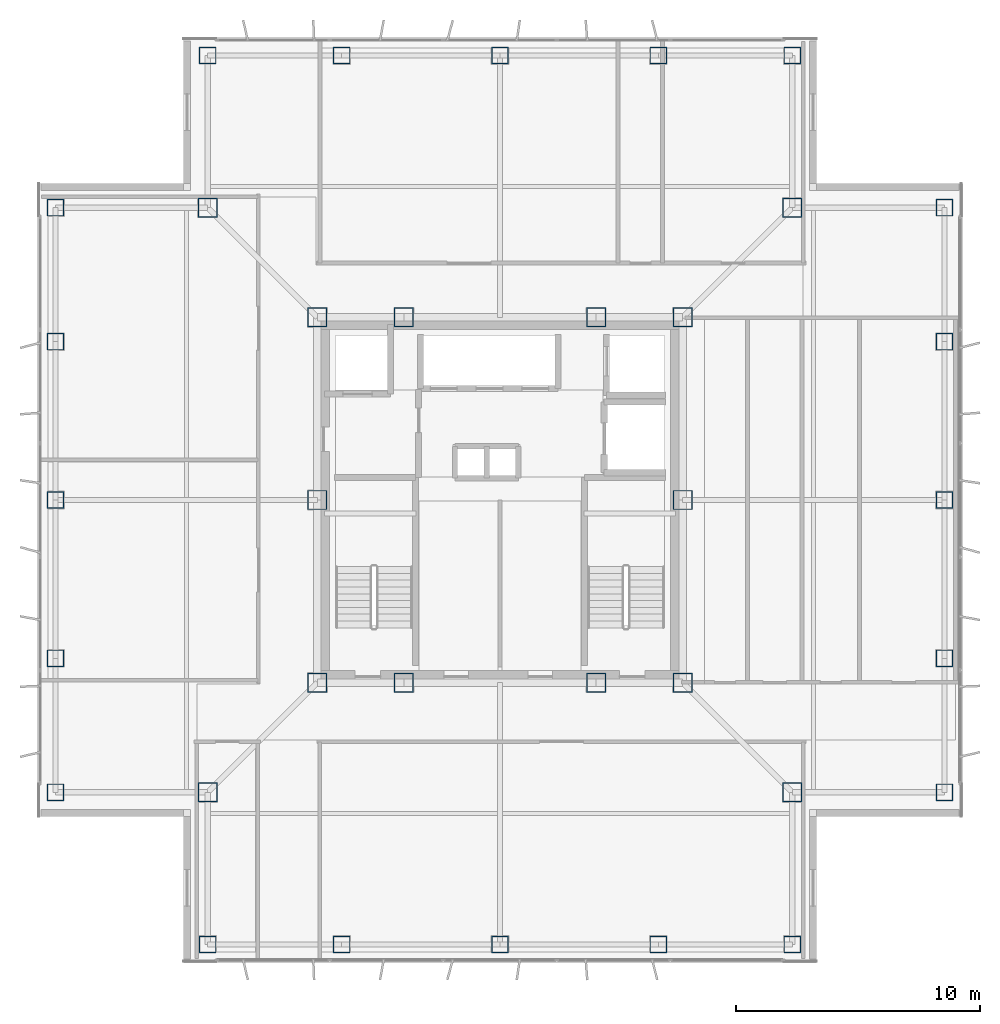
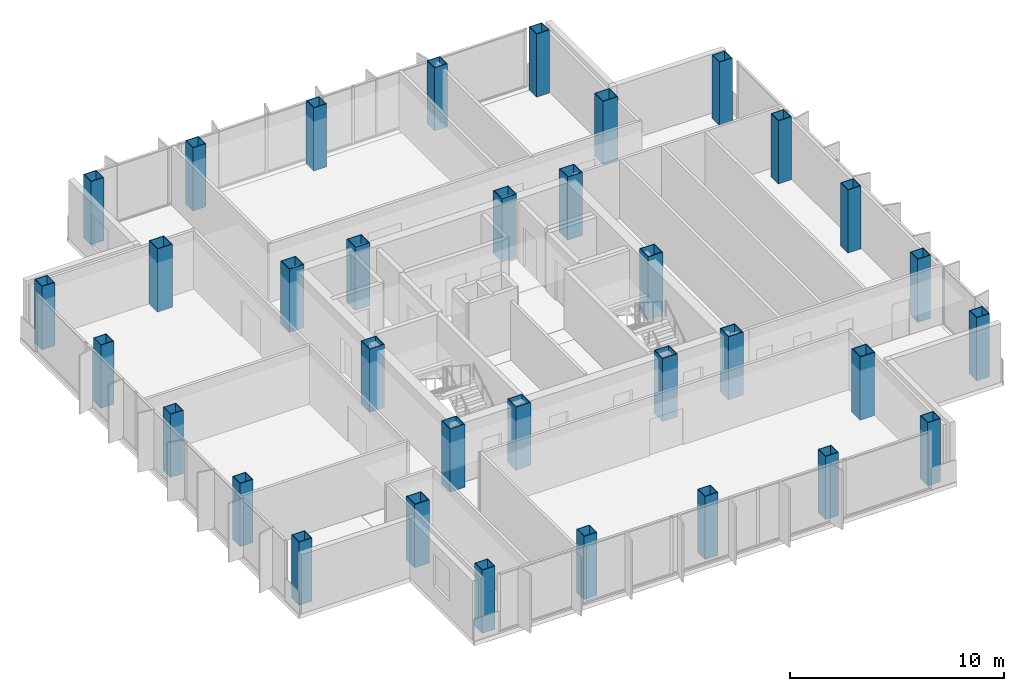
# One storey, part 1 of 15: 34 columns.
"""IFC4 building model written with IfcOpenShell, lengths in metres."""

from ifc_helpers import new_model, si_unit, direction, frame, origin, origin_2d, place, context, subcontext, project, spatial, hollow_rectangle, extrude, material, material_profile, profile_set, type_object, element, save


model = new_model("IFC4")

# Units and contexts
model_context = context("Model", 3, precision=1e-05, world=origin(), true_north=direction((0.0, 1.0)))
body_context = subcontext(model_context, "Body", "Model", "MODEL_VIEW")
ifc_project = project(units=[si_unit("LENGTHUNIT", "METRE"), si_unit("AREAUNIT", "SQUARE_METRE"), si_unit("VOLUMEUNIT", "CUBIC_METRE"), si_unit("PLANEANGLEUNIT", "RADIAN"), si_unit("MASSUNIT", "GRAM", prefix="KILO")], contexts=[model_context])

# Site, building, storey
site_placement = place(None, origin())
site = spatial("IfcSite", under=ifc_project, at=site_placement, CompositionType="ELEMENT")
building_placement = place(site_placement, origin())
building = spatial("IfcBuilding", under=site, at=building_placement, Name="Trevonay Congress Spire", CompositionType="ELEMENT")
storey_placement = place(building_placement, frame((0.0, 0.0, 261.199951171875)))
storey = spatial("IfcBuildingStorey", under=building, at=storey_placement, Name="L68", CompositionType="ELEMENT", Elevation=261.199951171875)

# Columns
ifc_material = material(Name="Steel ASTM A572 Grade 50", Category="steel")
ifc_material_profile_1 = material_profile(ifc_material, hollow_rectangle(XDim=0.800048828125, YDim=0.800048828125, WallThickness=0.0400390625, at=origin_2d()), Name="BOX 800x800x40")
ifc_profile_set_1 = profile_set([ifc_material_profile_1], Name="Steel ASTM A572 Grade 50")
column_type_1 = type_object("IfcColumnType", Name="COL-CORE-BOX800", PredefinedType="COLUMN", material=ifc_profile_set_1)
for number, where, z_axis, x_axis, name in (
    (1, (-7.5, -7.5, 0.0), (0.0, 0.0, 1.0), (1.0, 0.0, 0.0), "L68 column C05 at CC-SW"),
    (2, (-3.949951171875, -7.5, 0.0), (0.0, 0.0, 1.0), (1.0, 0.0, 0.0), "L68 column C05 at CC-SMW"),
    (3, (3.949951171875, -7.5, 0.0), (0.0, 0.0, 1.0), (1.0, 0.0, 0.0), "L68 column C05 at CC-SME"),
    (4, (7.5, -7.5, 0.0), (0.0, 0.0, 1.0), (1.0, 0.0, 0.0), "L68 column C05 at CC-SE"),
    (5, (7.5, 0.0, 0.0), (0.0, 0.0, 1.0), (1.0, 0.0, 0.0), "L68 column C05 at CC-E"),
    (6, (7.5, 7.5, 0.0), (0.0, 0.0, 1.0), (1.0, 0.0, 0.0), "L68 column C05 at CC-NE"),
    (7, (3.949951171875, 7.5, 0.0), (0.0, 0.0, 1.0), (1.0, 0.0, 0.0), "L68 column C05 at CC-NME"),
    (8, (-3.949951171875, 7.5, 0.0), (0.0, 0.0, 1.0), (1.0, 0.0, 0.0), "L68 column C05 at CC-NMW"),
    (9, (-7.5, 7.5, 0.0), (0.0, 0.0, 1.0), (1.0, 0.0, 0.0), "L68 column C05 at CC-NW"),
    (10, (-7.5, 0.0, 0.0), (0.0, 0.0, 1.0), (1.0, 0.0, 0.0), "L68 column C05 at CC-W"),
):
    element("IfcColumn", number, at=place(storey_placement, frame(where, z_axis=z_axis, x_axis=x_axis)), inside=storey, type_object=column_type_1, Name=name, PredefinedType="COLUMN", context=body_context, shape_type="SweptSolid", body=[
        extrude(hollow_rectangle(XDim=0.800048828125, YDim=0.800048828125, WallThickness=0.0400390625, at=origin_2d()), origin(), (0.0, 0.0, 1.0), 3.60009765625),
    ])
ifc_material_profile_2 = material_profile(ifc_material, hollow_rectangle(XDim=0.699951171875, YDim=0.699951171875, WallThickness=0.034912109375, at=origin_2d()), Name="BOX 700x700x35")
ifc_profile_set_2 = profile_set([ifc_material_profile_2], Name="Steel ASTM A572 Grade 50")
column_type_2 = type_object("IfcColumnType", Name="COL-TUBE-BOX700", PredefinedType="COLUMN", material=ifc_profile_set_2)
for number, where, z_axis, x_axis, name in (
    (11, (-12.0, -18.25, 0.0), (0.0, 0.0, 1.0), (1.0, 0.0, 0.0), "L68 column C17 at TS-1"),
    (12, (-12.0, 18.25, 0.0), (0.0, 0.0, 1.0), (1.0, 0.0, 0.0), "L68 column C17 at TN-1"),
    (13, (-18.25, -12.0, 0.0), (0.0, 0.0, 1.0), (1.0, 0.0, 0.0), "L68 column C17 at TW-1"),
    (14, (18.25, -12.0, 0.0), (0.0, 0.0, 1.0), (1.0, 0.0, 0.0), "L68 column C17 at TE-1"),
    (15, (-6.5, -18.25, 0.0), (0.0, 0.0, 1.0), (1.0, 0.0, 0.0), "L68 column C17 at TS-2"),
    (16, (-6.5, 18.25, 0.0), (0.0, 0.0, 1.0), (1.0, 0.0, 0.0), "L68 column C17 at TN-2"),
    (17, (-18.25, -6.5, 0.0), (0.0, 0.0, 1.0), (1.0, 0.0, 0.0), "L68 column C17 at TW-2"),
    (18, (18.25, -6.5, 0.0), (0.0, 0.0, 1.0), (1.0, 0.0, 0.0), "L68 column C17 at TE-2"),
    (19, (0.0, -18.25, 0.0), (0.0, 0.0, 1.0), (1.0, 0.0, 0.0), "L68 column C17 at TS-3"),
    (20, (0.0, 18.25, 0.0), (0.0, 0.0, 1.0), (1.0, 0.0, 0.0), "L68 column C17 at TN-3"),
    (21, (-18.25, 0.0, 0.0), (0.0, 0.0, 1.0), (1.0, 0.0, 0.0), "L68 column C17 at TW-3"),
    (22, (18.25, 0.0, 0.0), (0.0, 0.0, 1.0), (1.0, 0.0, 0.0), "L68 column C17 at TE-3"),
    (23, (6.5, -18.25, 0.0), (0.0, 0.0, 1.0), (1.0, 0.0, 0.0), "L68 column C17 at TS-4"),
    (24, (6.5, 18.25, 0.0), (0.0, 0.0, 1.0), (1.0, 0.0, 0.0), "L68 column C17 at TN-4"),
    (25, (-18.25, 6.5, 0.0), (0.0, 0.0, 1.0), (1.0, 0.0, 0.0), "L68 column C17 at TW-4"),
    (26, (18.25, 6.5, 0.0), (0.0, 0.0, 1.0), (1.0, 0.0, 0.0), "L68 column C17 at TE-4"),
    (27, (12.0, -18.25, 0.0), (0.0, 0.0, 1.0), (1.0, 0.0, 0.0), "L68 column C17 at TS-5"),
    (28, (12.0, 18.25, 0.0), (0.0, 0.0, 1.0), (1.0, 0.0, 0.0), "L68 column C17 at TN-5"),
    (29, (-18.25, 12.0, 0.0), (0.0, 0.0, 1.0), (1.0, 0.0, 0.0), "L68 column C17 at TW-5"),
    (30, (18.25, 12.0, 0.0), (0.0, 0.0, 1.0), (1.0, 0.0, 0.0), "L68 column C17 at TE-5"),
):
    element("IfcColumn", number, at=place(storey_placement, frame(where, z_axis=z_axis, x_axis=x_axis)), inside=storey, type_object=column_type_2, Name=name, PredefinedType="COLUMN", context=body_context, shape_type="SweptSolid", body=[
        extrude(hollow_rectangle(XDim=0.699951171875, YDim=0.699951171875, WallThickness=0.034912109375, at=origin_2d()), origin(), (0.0, 0.0, 1.0), 3.60009765625),
    ])
ifc_material_profile_3 = material_profile(ifc_material, hollow_rectangle(XDim=0.800048828125, YDim=0.800048828125, WallThickness=0.0400390625, at=origin_2d()), Name="BOX 800x800x40")
ifc_profile_set_3 = profile_set([ifc_material_profile_3], Name="Steel ASTM A572 Grade 50")
column_type_3 = type_object("IfcColumnType", Name="COL-TUBE-BOX800", PredefinedType="COLUMN", material=ifc_profile_set_3)
for number, where, z_axis, x_axis, name in (
    (31, (-12.0, -12.0, 0.0), (0.0, 0.0, 1.0), (1.0, 0.0, 0.0), "L68 column C16 at NC-SW"),
    (32, (12.0, -12.0, 0.0), (0.0, 0.0, 1.0), (1.0, 0.0, 0.0), "L68 column C16 at NC-SE"),
    (33, (12.0, 12.0, 0.0), (0.0, 0.0, 1.0), (1.0, 0.0, 0.0), "L68 column C16 at NC-NE"),
    (34, (-12.0, 12.0, 0.0), (0.0, 0.0, 1.0), (1.0, 0.0, 0.0), "L68 column C16 at NC-NW"),
):
    element("IfcColumn", number, at=place(storey_placement, frame(where, z_axis=z_axis, x_axis=x_axis)), inside=storey, type_object=column_type_3, Name=name, PredefinedType="COLUMN", context=body_context, shape_type="SweptSolid", body=[
        extrude(hollow_rectangle(XDim=0.800048828125, YDim=0.800048828125, WallThickness=0.0400390625, at=origin_2d()), origin(), (0.0, 0.0, 1.0), 3.60009765625),
    ])

save(model, "model.ifc")
